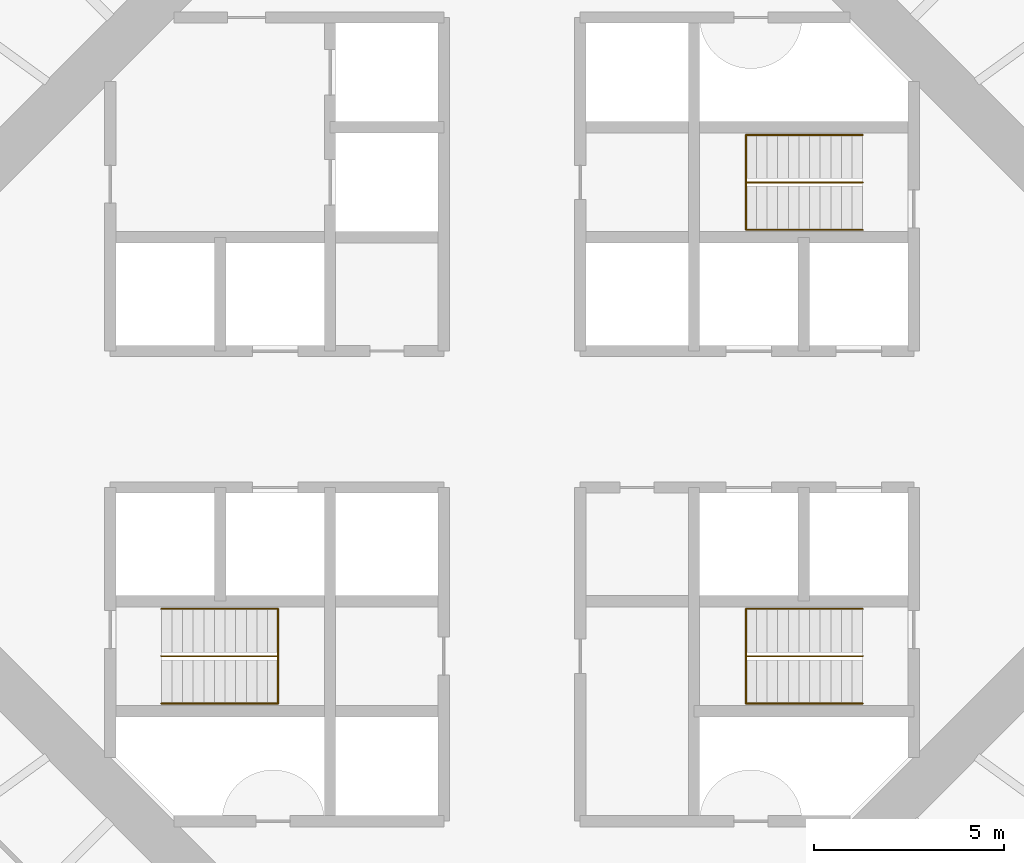
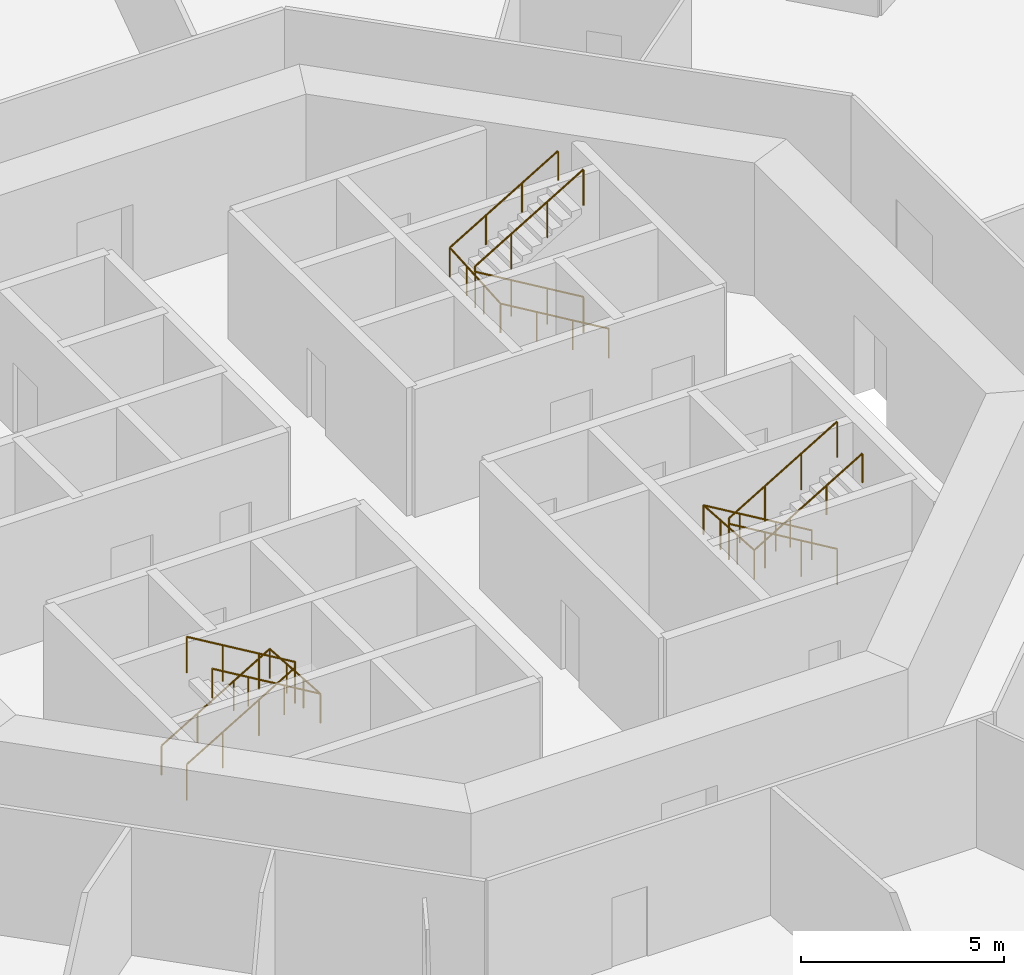
# One storey, part 13 of 13: 6 railings.
"""IFC4 building model written with IfcOpenShell, lengths in metres."""

from ifc_helpers import new_model, si_unit, direction, frame, origin, origin_2d, place, context, subcontext, project, spatial, circle, extrude, material, type_object, element, save


model = new_model("IFC4")

# Units and contexts
model_context = context("Model", 3, precision=1e-05, world=origin(), true_north=direction((0.0, 1.0)))
body_context = subcontext(model_context, "Body", "Model", "MODEL_VIEW")
ifc_project = project(units=[si_unit("LENGTHUNIT", "METRE"), si_unit("AREAUNIT", "SQUARE_METRE"), si_unit("VOLUMEUNIT", "CUBIC_METRE"), si_unit("PLANEANGLEUNIT", "RADIAN"), si_unit("MASSUNIT", "GRAM", prefix="KILO")], contexts=[model_context])

# Site, building, storey
site_placement = place(None, origin())
site = spatial("IfcSite", under=ifc_project, at=site_placement, CompositionType="ELEMENT")
building_placement = place(site_placement, origin())
building = spatial("IfcBuilding", under=site, at=building_placement, Name="Entoto Ring Tower", CompositionType="ELEMENT")
storey_placement = place(building_placement, frame((0.0, 0.0, 100.0)))
storey = spatial("IfcBuildingStorey", under=building, at=storey_placement, Name="L22", CompositionType="ELEMENT", Elevation=100.0)

# Railings
ifc_material_1 = material(Name="Steel S275", Category="steel")
railing_type_1 = type_object("IfcRailingType", Name="Stair guard 1100 mm steel", PredefinedType="GUARDRAIL", material=ifc_material_1)
railing_1_placement = place(storey_placement, frame((99.25, 86.25, 0.166748046875)))
element("IfcRailing", 1, at=railing_1_placement, inside=storey, type_object=railing_type_1, Name="Guard ST1", PredefinedType="GUARDRAIL", context=body_context, shape_type="SweptSolid", body=[
    extrude(circle(Radius=0.02392578125, at=origin_2d()), frame((0.0, 0.0, 1.076171875), z_axis=(-0.859308565015, 0.0, 0.511457515432), x_axis=(0.0, -1.0, 0.0)), (0.0, 0.0, 1.0), 3.58447265625),
    extrude(circle(Radius=0.02392578125, at=origin_2d()), frame((-3.080078125, 0.0, 2.9091796875), z_axis=(0.0, 0.0, 1.0), x_axis=(1.0, 0.0, 0.0)), (0.0, 0.0, 1.0), 0.166748046875),
    extrude(circle(Radius=0.02392578125, at=origin_2d()), frame((-3.080078125, 0.0, 3.076171875), z_axis=(0.859308565015, 0.0, 0.511457515432), x_axis=(0.0, 1.0, 0.0)), (0.0, 0.0, 1.0), 3.58447265625),
    extrude(circle(Radius=0.02099609375, at=origin_2d()), origin(), (0.0, 0.0, 1.0), 1.052001953125),
    extrude(circle(Radius=0.02099609375, at=origin_2d()), frame((-1.026611328125, 0.0, 0.611083984375)), (0.0, 0.0, 1.0), 1.052001953125),
    extrude(circle(Radius=0.02099609375, at=origin_2d()), frame((-2.053466796875, 0.0, 1.22216796875)), (0.0, 0.0, 1.0), 1.052001953125),
    extrude(circle(Radius=0.02099609375, at=origin_2d()), frame((-3.080078125, 0.0, 1.833251953125)), (0.0, 0.0, 1.0), 1.052001953125),
    extrude(circle(Radius=0.02099609375, at=origin_2d()), frame((-3.080078125, 0.0, 2.0)), (0.0, 0.0, 1.0), 1.052001953125),
    extrude(circle(Radius=0.02099609375, at=origin_2d()), frame((-2.053466796875, 0.0, 2.611083984375)), (0.0, 0.0, 1.0), 1.052001953125),
    extrude(circle(Radius=0.02099609375, at=origin_2d()), frame((-1.026611328125, 0.0, 3.22216796875)), (0.0, 0.0, 1.0), 1.052001953125),
    extrude(circle(Radius=0.02099609375, at=origin_2d()), frame((0.0, 0.0, 3.833251953125)), (0.0, 0.0, 1.0), 1.052001953125),
])
railing_2_placement = place(storey_placement, frame((80.75, 73.75, 0.166748046875)))
element("IfcRailing", 2, at=railing_2_placement, inside=storey, type_object=railing_type_1, Name="Guard ST2", PredefinedType="GUARDRAIL", context=body_context, shape_type="SweptSolid", body=[
    extrude(circle(Radius=0.02392578125, at=origin_2d()), frame((0.0, 0.0, 1.076171875), z_axis=(0.859308565015, 0.0, 0.511457515432), x_axis=(0.0, 1.0, 0.0)), (0.0, 0.0, 1.0), 3.58447265625),
    extrude(circle(Radius=0.02392578125, at=origin_2d()), frame((3.080078125, 0.0, 2.9091796875), z_axis=(0.0, 0.0, 1.0), x_axis=(1.0, 0.0, 0.0)), (0.0, 0.0, 1.0), 0.166748046875),
    extrude(circle(Radius=0.02392578125, at=origin_2d()), frame((3.080078125, 0.0, 3.076171875), z_axis=(-0.859308565015, 0.0, 0.511457515432), x_axis=(0.0, -1.0, 0.0)), (0.0, 0.0, 1.0), 3.58447265625),
    extrude(circle(Radius=0.02099609375, at=origin_2d()), origin(), (0.0, 0.0, 1.0), 1.052001953125),
    extrude(circle(Radius=0.02099609375, at=origin_2d()), frame((1.026611328125, 0.0, 0.611083984375)), (0.0, 0.0, 1.0), 1.052001953125),
    extrude(circle(Radius=0.02099609375, at=origin_2d()), frame((2.053466796875, 0.0, 1.22216796875)), (0.0, 0.0, 1.0), 1.052001953125),
    extrude(circle(Radius=0.02099609375, at=origin_2d()), frame((3.080078125, 0.0, 1.833251953125)), (0.0, 0.0, 1.0), 1.052001953125),
    extrude(circle(Radius=0.02099609375, at=origin_2d()), frame((3.080078125, 0.0, 2.0)), (0.0, 0.0, 1.0), 1.052001953125),
    extrude(circle(Radius=0.02099609375, at=origin_2d()), frame((2.053466796875, 0.0, 2.611083984375)), (0.0, 0.0, 1.0), 1.052001953125),
    extrude(circle(Radius=0.02099609375, at=origin_2d()), frame((1.026611328125, 0.0, 3.22216796875)), (0.0, 0.0, 1.0), 1.052001953125),
    extrude(circle(Radius=0.02099609375, at=origin_2d()), frame((0.0, 0.0, 3.833251953125)), (0.0, 0.0, 1.0), 1.052001953125),
])
railing_3_placement = place(storey_placement, frame((99.25, 73.75, 0.166748046875)))
element("IfcRailing", 3, at=railing_3_placement, inside=storey, type_object=railing_type_1, Name="Guard ST3", PredefinedType="GUARDRAIL", context=body_context, shape_type="SweptSolid", body=[
    extrude(circle(Radius=0.02392578125, at=origin_2d()), frame((0.0, 0.0, 1.076171875), z_axis=(-0.859308565015, 0.0, 0.511457515432), x_axis=(0.0, -1.0, 0.0)), (0.0, 0.0, 1.0), 3.58447265625),
    extrude(circle(Radius=0.02392578125, at=origin_2d()), frame((-3.080078125, 0.0, 2.9091796875), z_axis=(0.0, 0.0, 1.0), x_axis=(1.0, 0.0, 0.0)), (0.0, 0.0, 1.0), 0.166748046875),
    extrude(circle(Radius=0.02392578125, at=origin_2d()), frame((-3.080078125, 0.0, 3.076171875), z_axis=(0.859308565015, 0.0, 0.511457515432), x_axis=(0.0, 1.0, 0.0)), (0.0, 0.0, 1.0), 3.58447265625),
    extrude(circle(Radius=0.02099609375, at=origin_2d()), origin(), (0.0, 0.0, 1.0), 1.052001953125),
    extrude(circle(Radius=0.02099609375, at=origin_2d()), frame((-1.026611328125, 0.0, 0.611083984375)), (0.0, 0.0, 1.0), 1.052001953125),
    extrude(circle(Radius=0.02099609375, at=origin_2d()), frame((-2.053466796875, 0.0, 1.22216796875)), (0.0, 0.0, 1.0), 1.052001953125),
    extrude(circle(Radius=0.02099609375, at=origin_2d()), frame((-3.080078125, 0.0, 1.833251953125)), (0.0, 0.0, 1.0), 1.052001953125),
    extrude(circle(Radius=0.02099609375, at=origin_2d()), frame((-3.080078125, 0.0, 2.0)), (0.0, 0.0, 1.0), 1.052001953125),
    extrude(circle(Radius=0.02099609375, at=origin_2d()), frame((-2.053466796875, 0.0, 2.611083984375)), (0.0, 0.0, 1.0), 1.052001953125),
    extrude(circle(Radius=0.02099609375, at=origin_2d()), frame((-1.026611328125, 0.0, 3.22216796875)), (0.0, 0.0, 1.0), 1.052001953125),
    extrude(circle(Radius=0.02099609375, at=origin_2d()), frame((0.0, 0.0, 3.833251953125)), (0.0, 0.0, 1.0), 1.052001953125),
])
ifc_material_2 = material(Name="Steel S275", Category="steel")
railing_type_2 = type_object("IfcRailingType", Name="Stair handrail 900 mm steel", PredefinedType="HANDRAIL", material=ifc_material_2)
railing_4_placement = place(storey_placement, frame((99.25, 85.0, 0.166748046875)))
element("IfcRailing", 4, at=railing_4_placement, inside=storey, type_object=railing_type_2, Name="Handrail ST1", PredefinedType="HANDRAIL", context=body_context, shape_type="SweptSolid", body=[
    extrude(circle(Radius=0.02392578125, at=origin_2d()), frame((0.0, 0.0, 0.8759765625), z_axis=(-0.859308565015, 0.0, 0.511457515432), x_axis=(0.0, -1.0, 0.0)), (0.0, 0.0, 1.0), 3.58447265625),
    extrude(circle(Radius=0.02392578125, at=origin_2d()), frame((-3.080078125, 0.0, 2.708984375), z_axis=(0.0, 0.997783001586, 0.066551346688), x_axis=(-1.0, 0.0, 0.0)), (0.0, 0.0, 1.0), 2.505615234375),
    extrude(circle(Radius=0.02392578125, at=origin_2d()), frame((-3.080078125, 2.5, 2.8759765625), z_axis=(0.859308565015, 0.0, 0.511457515432), x_axis=(0.0, 1.0, 0.0)), (0.0, 0.0, 1.0), 3.58447265625),
    extrude(circle(Radius=0.02099609375, at=origin_2d()), origin(), (0.0, 0.0, 1.0), 0.851806640625),
    extrude(circle(Radius=0.02099609375, at=origin_2d()), frame((-1.026611328125, 0.0, 0.611083984375)), (0.0, 0.0, 1.0), 0.851806640625),
    extrude(circle(Radius=0.02099609375, at=origin_2d()), frame((-2.053466796875, 0.0, 1.22216796875)), (0.0, 0.0, 1.0), 0.851806640625),
    extrude(circle(Radius=0.02099609375, at=origin_2d()), frame((-3.080078125, 0.0, 1.833251953125)), (0.0, 0.0, 1.0), 0.851806640625),
    extrude(circle(Radius=0.02099609375, at=origin_2d()), frame((-3.080078125, 0.833251953125, 1.888916015625)), (0.0, 0.0, 1.0), 0.851806640625),
    extrude(circle(Radius=0.02099609375, at=origin_2d()), frame((-3.080078125, 1.666748046875, 1.9443359375)), (0.0, 0.0, 1.0), 0.851806640625),
    extrude(circle(Radius=0.02099609375, at=origin_2d()), frame((-3.080078125, 2.5, 2.0)), (0.0, 0.0, 1.0), 0.851806640625),
    extrude(circle(Radius=0.02099609375, at=origin_2d()), frame((-2.053466796875, 2.5, 2.611083984375)), (0.0, 0.0, 1.0), 0.851806640625),
    extrude(circle(Radius=0.02099609375, at=origin_2d()), frame((-1.026611328125, 2.5, 3.22216796875)), (0.0, 0.0, 1.0), 0.851806640625),
    extrude(circle(Radius=0.02099609375, at=origin_2d()), frame((0.0, 2.5, 3.833251953125)), (0.0, 0.0, 1.0), 0.851806640625),
])
railing_5_placement = place(storey_placement, frame((80.75, 75.0, 0.166748046875)))
element("IfcRailing", 5, at=railing_5_placement, inside=storey, type_object=railing_type_2, Name="Handrail ST2", PredefinedType="HANDRAIL", context=body_context, shape_type="SweptSolid", body=[
    extrude(circle(Radius=0.02392578125, at=origin_2d()), frame((0.0, 0.0, 0.8759765625), z_axis=(0.859308565015, 0.0, 0.511457515432), x_axis=(0.0, 1.0, 0.0)), (0.0, 0.0, 1.0), 3.58447265625),
    extrude(circle(Radius=0.02392578125, at=origin_2d()), frame((3.080078125, 0.0, 2.708984375), z_axis=(0.0, -0.997783001586, 0.066551346688), x_axis=(1.0, 0.0, 0.0)), (0.0, 0.0, 1.0), 2.505615234375),
    extrude(circle(Radius=0.02392578125, at=origin_2d()), frame((3.080078125, -2.5, 2.8759765625), z_axis=(-0.859308565015, 0.0, 0.511457515432), x_axis=(0.0, -1.0, 0.0)), (0.0, 0.0, 1.0), 3.58447265625),
    extrude(circle(Radius=0.02099609375, at=origin_2d()), origin(), (0.0, 0.0, 1.0), 0.851806640625),
    extrude(circle(Radius=0.02099609375, at=origin_2d()), frame((1.026611328125, 0.0, 0.611083984375)), (0.0, 0.0, 1.0), 0.851806640625),
    extrude(circle(Radius=0.02099609375, at=origin_2d()), frame((2.053466796875, 0.0, 1.22216796875)), (0.0, 0.0, 1.0), 0.851806640625),
    extrude(circle(Radius=0.02099609375, at=origin_2d()), frame((3.080078125, 0.0, 1.833251953125)), (0.0, 0.0, 1.0), 0.851806640625),
    extrude(circle(Radius=0.02099609375, at=origin_2d()), frame((3.080078125, -0.833251953125, 1.888916015625)), (0.0, 0.0, 1.0), 0.851806640625),
    extrude(circle(Radius=0.02099609375, at=origin_2d()), frame((3.080078125, -1.666748046875, 1.9443359375)), (0.0, 0.0, 1.0), 0.851806640625),
    extrude(circle(Radius=0.02099609375, at=origin_2d()), frame((3.080078125, -2.5, 2.0)), (0.0, 0.0, 1.0), 0.851806640625),
    extrude(circle(Radius=0.02099609375, at=origin_2d()), frame((2.053466796875, -2.5, 2.611083984375)), (0.0, 0.0, 1.0), 0.851806640625),
    extrude(circle(Radius=0.02099609375, at=origin_2d()), frame((1.026611328125, -2.5, 3.22216796875)), (0.0, 0.0, 1.0), 0.851806640625),
    extrude(circle(Radius=0.02099609375, at=origin_2d()), frame((0.0, -2.5, 3.833251953125)), (0.0, 0.0, 1.0), 0.851806640625),
])
railing_6_placement = place(storey_placement, frame((99.25, 75.0, 0.166748046875)))
element("IfcRailing", 6, at=railing_6_placement, inside=storey, type_object=railing_type_2, Name="Handrail ST3", PredefinedType="HANDRAIL", context=body_context, shape_type="SweptSolid", body=[
    extrude(circle(Radius=0.02392578125, at=origin_2d()), frame((0.0, 0.0, 0.8759765625), z_axis=(-0.859308565015, 0.0, 0.511457515432), x_axis=(0.0, -1.0, 0.0)), (0.0, 0.0, 1.0), 3.58447265625),
    extrude(circle(Radius=0.02392578125, at=origin_2d()), frame((-3.080078125, 0.0, 2.708984375), z_axis=(0.0, -0.997783001586, 0.066551346688), x_axis=(1.0, 0.0, 0.0)), (0.0, 0.0, 1.0), 2.505615234375),
    extrude(circle(Radius=0.02392578125, at=origin_2d()), frame((-3.080078125, -2.5, 2.8759765625), z_axis=(0.859308565015, 0.0, 0.511457515432), x_axis=(0.0, 1.0, 0.0)), (0.0, 0.0, 1.0), 3.58447265625),
    extrude(circle(Radius=0.02099609375, at=origin_2d()), origin(), (0.0, 0.0, 1.0), 0.851806640625),
    extrude(circle(Radius=0.02099609375, at=origin_2d()), frame((-1.026611328125, 0.0, 0.611083984375)), (0.0, 0.0, 1.0), 0.851806640625),
    extrude(circle(Radius=0.02099609375, at=origin_2d()), frame((-2.053466796875, 0.0, 1.22216796875)), (0.0, 0.0, 1.0), 0.851806640625),
    extrude(circle(Radius=0.02099609375, at=origin_2d()), frame((-3.080078125, 0.0, 1.833251953125)), (0.0, 0.0, 1.0), 0.851806640625),
    extrude(circle(Radius=0.02099609375, at=origin_2d()), frame((-3.080078125, -0.833251953125, 1.888916015625)), (0.0, 0.0, 1.0), 0.851806640625),
    extrude(circle(Radius=0.02099609375, at=origin_2d()), frame((-3.080078125, -1.666748046875, 1.9443359375)), (0.0, 0.0, 1.0), 0.851806640625),
    extrude(circle(Radius=0.02099609375, at=origin_2d()), frame((-3.080078125, -2.5, 2.0)), (0.0, 0.0, 1.0), 0.851806640625),
    extrude(circle(Radius=0.02099609375, at=origin_2d()), frame((-2.053466796875, -2.5, 2.611083984375)), (0.0, 0.0, 1.0), 0.851806640625),
    extrude(circle(Radius=0.02099609375, at=origin_2d()), frame((-1.026611328125, -2.5, 3.22216796875)), (0.0, 0.0, 1.0), 0.851806640625),
    extrude(circle(Radius=0.02099609375, at=origin_2d()), frame((0.0, -2.5, 3.833251953125)), (0.0, 0.0, 1.0), 0.851806640625),
])

save(model, "model.ifc")
